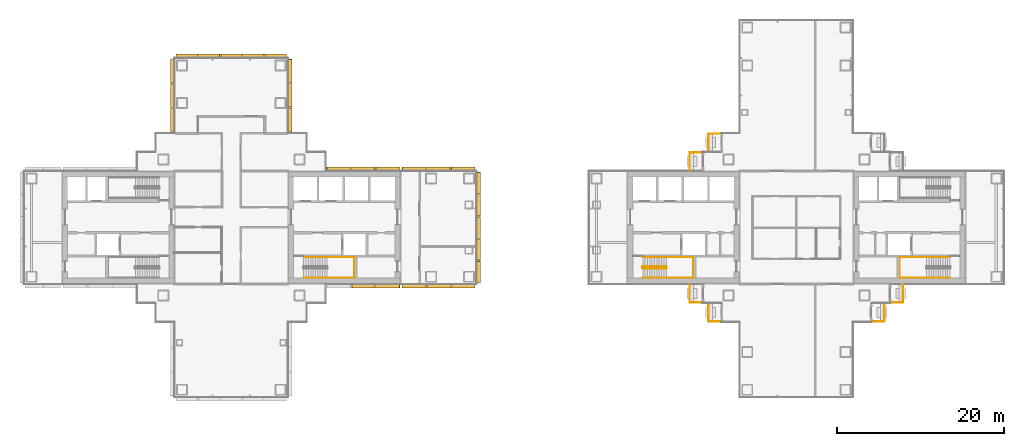
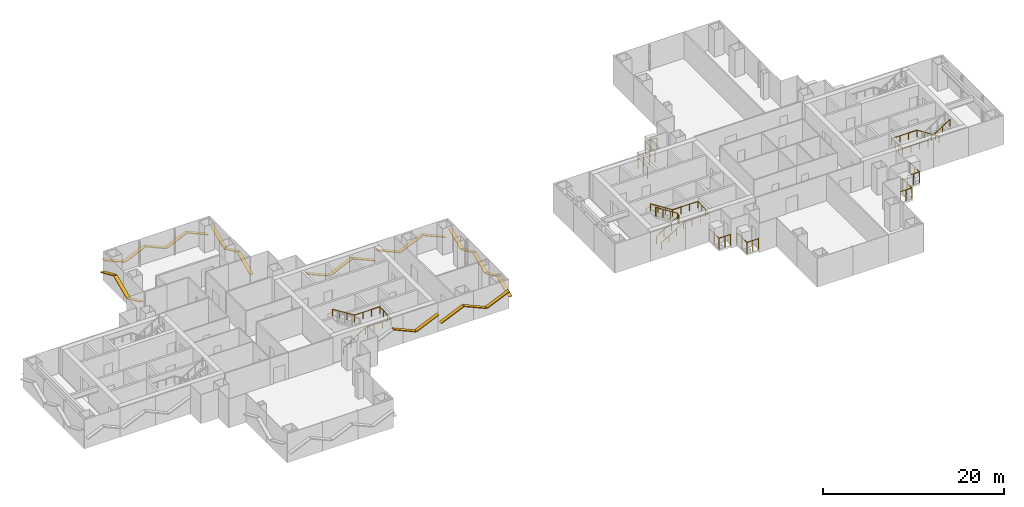
# One storey, part 17 of 19: 27 shading devices, 10 railings.
"""IFC4 building model written with IfcOpenShell, lengths in metres."""

import ifcopenshell
import ifcopenshell.guid

model = None  # the IFC model being written
_history = None  # IfcOwnerHistory: only IFC2X3 demands one
_inside = {}  # id of a spatial element -> (the spatial element, [elements in it])
_under = {}  # id of a project, library or spatial element -> (it, [spatial elements below it])
_declared = {}  # id of a project -> (the project, [libraries it declares])
_typed = {}  # id of a type object -> (the type object, [elements of that type])
_made_of = {}  # id of a material, layer set ... -> (it, [elements and type objects made of it])


def new_model(schema):
    """Start an empty IFC model of exactly this schema.

    Asked for "IFC4X3", IfcOpenShell would pick the latest addendum, in which some entities
    have other attributes; the version numbers below select the first issue.
    IFC2X3 requires an IfcOwnerHistory on every rooted entity: one is made here for all.
    """
    global model, _history
    if schema == "IFC4X3":
        model = ifcopenshell.file(schema_version=(4, 3, 0, 0))
    else:
        model = ifcopenshell.file(schema=schema)
    _inside.clear()
    _under.clear()
    _declared.clear()
    _typed.clear()
    _made_of.clear()
    _history = None
    if model.schema == "IFC2X3":
        org = make("IfcOrganization", Name="unknown")
        user = make(
            "IfcPersonAndOrganization",
            ThePerson=make("IfcPerson", FamilyName="unknown"),
            TheOrganization=org,
        )
        app = make(
            "IfcApplication",
            ApplicationDeveloper=org,
            Version="unknown",
            ApplicationFullName="unknown",
            ApplicationIdentifier="unknown",
        )
        _history = make(
            "IfcOwnerHistory",
            OwningUser=user,
            OwningApplication=app,
            ChangeAction="ADDED",
            CreationDate=0,
        )
    return model


def make(cls, **values):
    """One entity of the class cls with the attributes given. An attribute that is None is left unset."""
    return model.create_entity(
        cls, **{name: value for name, value in values.items() if value is not None}
    )


def rooted(cls, **values):
    """An entity with a GlobalId (a new one), such as an element, a storey or a relation."""
    return make(cls, GlobalId=ifcopenshell.guid.new(), OwnerHistory=_history, **values)


def si_unit(unit_type, name, prefix=None):
    """IfcSIUnit, for example si_unit("LENGTHUNIT", "METRE", prefix="MILLI")."""
    return make("IfcSIUnit", UnitType=unit_type, Prefix=prefix, Name=name)


def assignment(units):
    """IfcUnitAssignment: the units of a project."""
    return None if units is None else make("IfcUnitAssignment", Units=units)


def point(xyz):
    """IfcCartesianPoint."""
    return None if xyz is None else make("IfcCartesianPoint", Coordinates=xyz)


def direction(xyz):
    """IfcDirection."""
    return None if xyz is None else make("IfcDirection", DirectionRatios=xyz)


def frame(location, z_axis=None, x_axis=None):
    """IfcAxis2Placement3D, a coordinate frame: its origin and axes. An axis left out is left unset."""
    return make(
        "IfcAxis2Placement3D",
        Location=point(location),
        Axis=direction(z_axis),
        RefDirection=direction(x_axis),
    )


def frame_2d(location, x_axis=None):
    """IfcAxis2Placement2D, a coordinate frame in the plane: its origin and x axis."""
    return make(
        "IfcAxis2Placement2D", Location=point(location), RefDirection=direction(x_axis)
    )


def origin():
    """The frame at (0, 0, 0) with its axes left unset."""
    return frame((0.0, 0.0, 0.0))


def origin_2d():
    """The frame at (0, 0) in the plane with its x axis left unset."""
    return frame_2d((0.0, 0.0))


def place(relative_to, where):
    """IfcLocalPlacement: puts the frame where relative to a parent placement (None: the world)."""
    return make(
        "IfcLocalPlacement", PlacementRelTo=relative_to, RelativePlacement=where
    )


def context(
    kind, dimensions, precision=None, world=None, true_north=None, identifier=None
):
    """IfcGeometricRepresentationContext, for example the 3D "Model" context."""
    return make(
        "IfcGeometricRepresentationContext",
        ContextIdentifier=identifier,
        ContextType=kind,
        CoordinateSpaceDimension=dimensions,
        Precision=precision,
        WorldCoordinateSystem=world,
        TrueNorth=true_north,
    )


def subcontext(parent, identifier, kind, view, scale=None):
    """IfcGeometricRepresentationSubContext, for example "Body" below "Model"."""
    return make(
        "IfcGeometricRepresentationSubContext",
        ContextIdentifier=identifier,
        ContextType=kind,
        ParentContext=parent,
        TargetScale=scale,
        TargetView=view,
    )


def project(units=None, contexts=None):
    """IfcProject with its units and contexts."""
    return rooted(
        "IfcProject",
        Name="project",
        RepresentationContexts=contexts,
        UnitsInContext=assignment(units),
    )


def spatial(cls, under=None, at=None, **own):
    """A site, building, storey or space (cls), placed at a placement, below another one or the project."""
    s = rooted(cls, ObjectPlacement=at, **own)
    if under is not None:
        _under.setdefault(under.id(), (under, []))[1].append(s)
    return s


def profile(cls, at=None, kind="AREA", **sizes):
    """A parametric profile (cls). Its sizes go by their IFC names, for example OverallWidth=200.0."""
    return make(cls, ProfileType=kind, Position=at, **sizes)


def rectangle(**sizes):
    """IfcRectangleProfileDef."""
    return profile("IfcRectangleProfileDef", **sizes)


def circle(**sizes):
    """IfcCircleProfileDef."""
    return profile("IfcCircleProfileDef", **sizes)


def extrude(swept, where, along, depth):
    """IfcExtrudedAreaSolid: the profile swept, set in the frame where, extruded along a direction by depth."""
    return make(
        "IfcExtrudedAreaSolid",
        SweptArea=swept,
        Position=where,
        ExtrudedDirection=direction(along),
        Depth=depth,
    )


def shape(context_of_items, identifier, shape_type, items):
    """IfcShapeRepresentation: the items that make up one representation, for example the "Body"."""
    return make(
        "IfcShapeRepresentation",
        ContextOfItems=context_of_items,
        RepresentationIdentifier=identifier,
        RepresentationType=shape_type,
        Items=items,
    )


def material(Name=None, Category=None):
    """IfcMaterial."""
    return make("IfcMaterial", Name=Name, Category=Category)


def material_profile(
    of_material, cross_section, Name=None, Category=None, Priority=None
):
    """IfcMaterialProfile: a cross section and its material."""
    return make(
        "IfcMaterialProfile",
        Name=Name,
        Material=of_material,
        Profile=cross_section,
        Priority=Priority,
        Category=Category,
    )


def profile_set(profiles, Name=None, composite=None):
    """IfcMaterialProfileSet."""
    return make(
        "IfcMaterialProfileSet",
        Name=Name,
        MaterialProfiles=profiles,
        CompositeProfile=composite,
    )


def made_of(thing, what):
    """Note that an element or type object is made of a material, layer set ...; save() writes the relation."""
    if what is not None:
        _made_of.setdefault(what.id(), (what, []))[1].append(thing)
    return thing


def type_object(cls, material=None, **own):
    """A type object (cls), such as IfcWallType, which elements share."""
    return made_of(rooted(cls, **own), material)


def element(
    cls,
    number,
    at=None,
    inside=None,
    cuts=None,
    type_object=None,
    material=None,
    context=None,
    identifier="Body",
    shape_type=None,
    held_by="IfcProductDefinitionShape",
    body=None,
    shapes=None,
    **own,
):
    """One element of the class cls, such as IfcWall. Its Tag is "e" and its number.

    at: its placement. inside: the storey or other place that contains it. cuts: it is an
    opening in that element (IfcRelVoidsElement). A single representation is given by context,
    identifier, shape_type and body (its items); several are given by shapes. held_by: the class
    of the entity that holds the representations. save() writes the other relations.
    """
    e = rooted(cls, Tag="e%d" % number, ObjectPlacement=at, **own)
    if body is not None:
        shapes = [shape(context, identifier, shape_type, body)]
    if shapes is not None:
        e.Representation = make(held_by, Representations=shapes)
    if inside is not None:
        _inside.setdefault(inside.id(), (inside, []))[1].append(e)
    if cuts is not None:
        rooted(
            "IfcRelVoidsElement", RelatingBuildingElement=cuts, RelatedOpeningElement=e
        )
    if type_object is not None:
        _typed.setdefault(type_object.id(), (type_object, []))[1].append(e)
    return made_of(e, material)


def aggregate(whole, parts):
    """IfcRelAggregates: a whole, such as a stair, and the parts it consists of."""
    return rooted("IfcRelAggregates", RelatingObject=whole, RelatedObjects=parts)


def save(model, path):
    """Write the relations noted so far, then the file.

    IfcRelAggregates (storeys below a building ...), IfcRelContainedInSpatialStructure (elements
    in a storey), IfcRelDefinesByType, IfcRelAssociatesMaterial and IfcRelDeclares: one each for
    every whole, place, type object, material and project.
    """
    for whole, parts in _under.values():
        aggregate(whole, parts)
    for where, things in _inside.values():
        rooted(
            "IfcRelContainedInSpatialStructure",
            RelatedElements=things,
            RelatingStructure=where,
        )
    for kind, things in _typed.values():
        rooted("IfcRelDefinesByType", RelatedObjects=things, RelatingType=kind)
    for what, things in _made_of.values():
        rooted("IfcRelAssociatesMaterial", RelatedObjects=things, RelatingMaterial=what)
    for by, libraries in _declared.values():
        rooted("IfcRelDeclares", RelatingContext=by, RelatedDefinitions=libraries)
    model.write(path)


model = new_model("IFC4")

# Units and contexts
model_context = context("Model", 3, precision=1e-05, world=origin(), true_north=direction((0.0, 1.0)))
body_context = subcontext(model_context, "Body", "Model", "MODEL_VIEW")
ifc_project = project(units=[si_unit("LENGTHUNIT", "METRE"), si_unit("AREAUNIT", "SQUARE_METRE"), si_unit("VOLUMEUNIT", "CUBIC_METRE"), si_unit("PLANEANGLEUNIT", "RADIAN"), si_unit("MASSUNIT", "GRAM", prefix="KILO")], contexts=[model_context])

# Site, building, storey
site_placement = place(None, origin())
site = spatial("IfcSite", under=ifc_project, at=site_placement, CompositionType="ELEMENT")
building_placement = place(site_placement, origin())
building = spatial("IfcBuilding", under=site, at=building_placement, Name="Shamsa Quay Exchange Towers", CompositionType="ELEMENT")
storey_placement = place(building_placement, frame((0.0, 0.0, 89.699951171875)))
storey = spatial("IfcBuildingStorey", under=building, at=storey_placement, Name="L20", CompositionType="ELEMENT", Elevation=89.699951171875)

# Railings
ifc_material_1 = material(Name="Steel S355, black powder-coated", Category="steel")
railing_type_1 = type_object("IfcRailingType", Name="BALCONY GUARD 1500", PredefinedType="GUARDRAIL", material=ifc_material_1)
for number, where, name in (
    (1, (24.72900390625, 11.199951171875, 0.0), "Balcony guard T2-PKEN L20"),
    (2, (22.47900390625, 8.949951171875, 0.0), "Balcony guard T2-PKEN L20"),
):
    element("IfcRailing", number, at=place(storey_placement, frame(where)), inside=storey, type_object=railing_type_1, Name=name, PredefinedType="GUARDRAIL", context=body_context, shape_type="SweptSolid", body=[
        extrude(circle(Radius=0.02392578125, at=origin_2d()), frame((0.0, 0.0, 1.47607421875), z_axis=(-1.0, 0.0, 0.0), x_axis=(0.0, -1.0, 0.0)), (0.0, 0.0, 1.0), 1.47900390625),
        extrude(circle(Radius=0.02392578125, at=origin_2d()), frame((-1.47900390625, 0.0, 1.47607421875), z_axis=(0.0, -1.0, 0.0), x_axis=(1.0, 0.0, 0.0)), (0.0, 0.0, 1.0), 2.161865234375),
        extrude(circle(Radius=0.02099609375, at=origin_2d()), origin(), (0.0, 0.0, 1.0), 1.451904296875),
        extrude(circle(Radius=0.02099609375, at=origin_2d()), frame((-0.739501953125, 0.0, 0.0)), (0.0, 0.0, 1.0), 1.451904296875),
        extrude(circle(Radius=0.02099609375, at=origin_2d()), frame((-1.47900390625, 0.0, 0.0)), (0.0, 0.0, 1.0), 1.451904296875),
        extrude(circle(Radius=0.02099609375, at=origin_2d()), frame((-1.47900390625, -1.0810546875, 0.0)), (0.0, 0.0, 1.0), 1.451904296875),
        extrude(circle(Radius=0.02099609375, at=origin_2d()), frame((-1.47900390625, -2.161865234375, 0.0)), (0.0, 0.0, 1.0), 1.451904296875),
    ])
for number, where, name in (
    (3, (21.0, -6.7880859375, 0.0), "Balcony guard T2-PKWN L20"),
    (4, (23.25, -9.0380859375, 0.0), "Balcony guard T2-PKWN L20"),
):
    element("IfcRailing", number, at=place(storey_placement, frame(where)), inside=storey, type_object=railing_type_1, Name=name, PredefinedType="GUARDRAIL", context=body_context, shape_type="SweptSolid", body=[
        extrude(circle(Radius=0.02392578125, at=origin_2d()), frame((0.0, 0.0, 1.47607421875), z_axis=(0.0, -1.0, 0.0), x_axis=(1.0, 0.0, 0.0)), (0.0, 0.0, 1.0), 2.161865234375),
        extrude(circle(Radius=0.02392578125, at=origin_2d()), frame((0.0, -2.161865234375, 1.47607421875), z_axis=(1.0, 0.0, 0.0), x_axis=(0.0, 1.0, 0.0)), (0.0, 0.0, 1.0), 1.47900390625),
        extrude(circle(Radius=0.02099609375, at=origin_2d()), origin(), (0.0, 0.0, 1.0), 1.451904296875),
        extrude(circle(Radius=0.02099609375, at=origin_2d()), frame((0.0, -1.0810546875, 0.0)), (0.0, 0.0, 1.0), 1.451904296875),
        extrude(circle(Radius=0.02099609375, at=origin_2d()), frame((0.0, -2.161865234375, 0.0)), (0.0, 0.0, 1.0), 1.451904296875),
        extrude(circle(Radius=0.02099609375, at=origin_2d()), frame((0.739501953125, -2.161865234375, 0.0)), (0.0, 0.0, 1.0), 1.451904296875),
        extrude(circle(Radius=0.02099609375, at=origin_2d()), frame((1.47900390625, -2.161865234375, 0.0)), (0.0, 0.0, 1.0), 1.451904296875),
    ])
for number, where, name in (
    (5, (42.77099609375, -11.199951171875, 0.0), "Balcony guard T2-PKWS L20"),
    (6, (45.02099609375, -8.949951171875, 0.0), "Balcony guard T2-PKWS L20"),
):
    element("IfcRailing", number, at=place(storey_placement, frame(where)), inside=storey, type_object=railing_type_1, Name=name, PredefinedType="GUARDRAIL", context=body_context, shape_type="SweptSolid", body=[
        extrude(circle(Radius=0.02392578125, at=origin_2d()), frame((0.0, 0.0, 1.47607421875), z_axis=(1.0, 0.0, 0.0), x_axis=(0.0, 1.0, 0.0)), (0.0, 0.0, 1.0), 1.47900390625),
        extrude(circle(Radius=0.02392578125, at=origin_2d()), frame((1.47900390625, 0.0, 1.47607421875), z_axis=(0.0, 1.0, 0.0), x_axis=(-1.0, 0.0, 0.0)), (0.0, 0.0, 1.0), 2.161865234375),
        extrude(circle(Radius=0.02099609375, at=origin_2d()), origin(), (0.0, 0.0, 1.0), 1.451904296875),
        extrude(circle(Radius=0.02099609375, at=origin_2d()), frame((0.739501953125, 0.0, 0.0)), (0.0, 0.0, 1.0), 1.451904296875),
        extrude(circle(Radius=0.02099609375, at=origin_2d()), frame((1.47900390625, 0.0, 0.0)), (0.0, 0.0, 1.0), 1.451904296875),
        extrude(circle(Radius=0.02099609375, at=origin_2d()), frame((1.47900390625, 1.0810546875, 0.0)), (0.0, 0.0, 1.0), 1.451904296875),
        extrude(circle(Radius=0.02099609375, at=origin_2d()), frame((1.47900390625, 2.161865234375, 0.0)), (0.0, 0.0, 1.0), 1.451904296875),
    ])

# Shading devices
ifc_material_2 = material(Name="Aluminium EN AW-6063 T6, black anodised", Category="aluminium")
ifc_material_profile = material_profile(ifc_material_2, rectangle(XDim=0.449951171875, YDim=0.10009765625, at=origin_2d()), Name="FIN450x100")
ifc_profile_set = profile_set([ifc_material_profile], Name="Aluminium EN AW-6063 T6, black anodised")
shading_device_type = type_object("IfcShadingDeviceType", Name="FIN 450x100 BLACK ALUMINIUM", PredefinedType="USERDEFINED", material=ifc_profile_set)
shading_device_1_placement = place(storey_placement, frame((-19.374755859375, -7.01904296875, 2.220458984375), z_axis=(0.913550687431, 0.0, -0.406724896576), x_axis=(0.0, 1.0, 0.0)))
element("IfcShadingDevice", 7, at=shading_device_1_placement, inside=storey, type_object=shading_device_type, Name="FIN T1 chevron rib", ObjectType="FIN", PredefinedType="USERDEFINED", context=body_context, shape_type="SweptSolid", body=[
    extrude(rectangle(XDim=0.449951171875, YDim=0.10009765625, at=origin_2d()), origin(), (0.0, 0.0, 1.0), 3.051025390625),
])
shading_device_2_placement = place(storey_placement, frame((-16.4873046875, -7.01904296875, 0.968505859375), z_axis=(0.913558535862, 0.0, 0.406707267643), x_axis=(0.0, 1.0, 0.0)))
element("IfcShadingDevice", 8, at=shading_device_2_placement, inside=storey, type_object=shading_device_type, Name="FIN T1 chevron rib", ObjectType="FIN", PredefinedType="USERDEFINED", context=body_context, shape_type="SweptSolid", body=[
    extrude(rectangle(XDim=0.449951171875, YDim=0.10009765625, at=origin_2d()), origin(), (0.0, 0.0, 1.0), 3.10595703125),
])
shading_device_3_placement = place(storey_placement, frame((-13.35009765625, -7.014892578125, 0.965576171875), z_axis=(0.913533816972, 0.0, 0.406762787444), x_axis=(0.0, 1.0, 0.0)))
element("IfcShadingDevice", 9, at=shading_device_3_placement, inside=storey, type_object=shading_device_type, Name="FIN T1 chevron rib", ObjectType="FIN", PredefinedType="USERDEFINED", context=body_context, shape_type="SweptSolid", body=[
    extrude(rectangle(XDim=0.449951171875, YDim=0.10009765625, at=origin_2d()), origin(), (0.0, 0.0, 1.0), 3.119873046875),
])
shading_device_4_placement = place(storey_placement, frame((-10.39990234375, -7.014892578125, 2.223388671875), z_axis=(0.913541981537, 0.0, -0.406744450447), x_axis=(0.0, 1.0, 0.0)))
element("IfcShadingDevice", 10, at=shading_device_4_placement, inside=storey, type_object=shading_device_type, Name="FIN T1 chevron rib", ObjectType="FIN", PredefinedType="USERDEFINED", context=body_context, shape_type="SweptSolid", body=[
    extrude(rectangle(XDim=0.449951171875, YDim=0.10009765625, at=origin_2d()), origin(), (0.0, 0.0, 1.0), 3.064697265625),
])
shading_device_5_placement = place(storey_placement, frame((-7.5, -7.014892578125, 0.965576171875), z_axis=(0.913533816972, 0.0, 0.406762787444), x_axis=(0.0, 1.0, 0.0)))
element("IfcShadingDevice", 11, at=shading_device_5_placement, inside=storey, type_object=shading_device_type, Name="FIN T1 chevron rib", ObjectType="FIN", PredefinedType="USERDEFINED", context=body_context, shape_type="SweptSolid", body=[
    extrude(rectangle(XDim=0.449951171875, YDim=0.10009765625, at=origin_2d()), origin(), (0.0, 0.0, 1.0), 3.119873046875),
])
shading_device_6_placement = place(storey_placement, frame((-4.235107421875, -6.60009765625, 1.0234375), z_axis=(0.0, 0.91355925163, 0.406705659859), x_axis=(-1.0, 0.0, 0.0)))
element("IfcShadingDevice", 12, at=shading_device_6_placement, inside=storey, type_object=shading_device_type, Name="FIN T1 chevron rib", ObjectType="FIN", PredefinedType="USERDEFINED", context=body_context, shape_type="SweptSolid", body=[
    extrude(rectangle(XDim=0.449951171875, YDim=0.10009765625, at=origin_2d()), origin(), (0.0, 0.0, 1.0), 2.835205078125),
])
shading_device_7_placement = place(storey_placement, frame((-4.235107421875, -3.909912109375, 2.16552734375), z_axis=(0.0, 0.913536125794, -0.406757602103), x_axis=(-1.0, 0.0, 0.0)))
element("IfcShadingDevice", 13, at=shading_device_7_placement, inside=storey, type_object=shading_device_type, Name="FIN T1 chevron rib", ObjectType="FIN", PredefinedType="USERDEFINED", context=body_context, shape_type="SweptSolid", body=[
    extrude(rectangle(XDim=0.449951171875, YDim=0.10009765625, at=origin_2d()), origin(), (0.0, 0.0, 1.0), 2.7802734375),
])
shading_device_8_placement = place(storey_placement, frame((-4.235107421875, -1.27001953125, 1.03466796875), z_axis=(0.0, 0.913550653139, 0.4067249736), x_axis=(-1.0, 0.0, 0.0)))
element("IfcShadingDevice", 14, at=shading_device_8_placement, inside=storey, type_object=shading_device_type, Name="FIN T1 chevron rib", ObjectType="FIN", PredefinedType="USERDEFINED", context=body_context, shape_type="SweptSolid", body=[
    extrude(rectangle(XDim=0.449951171875, YDim=0.10009765625, at=origin_2d()), origin(), (0.0, 0.0, 1.0), 2.780517578125),
])
shading_device_9_placement = place(storey_placement, frame((-4.235107421875, 1.3701171875, 2.16552734375), z_axis=(0.0, 0.913536125794, -0.406757602103), x_axis=(-1.0, 0.0, 0.0)))
element("IfcShadingDevice", 15, at=shading_device_9_placement, inside=storey, type_object=shading_device_type, Name="FIN T1 chevron rib", ObjectType="FIN", PredefinedType="USERDEFINED", context=body_context, shape_type="SweptSolid", body=[
    extrude(rectangle(XDim=0.449951171875, YDim=0.10009765625, at=origin_2d()), origin(), (0.0, 0.0, 1.0), 2.7802734375),
])
shading_device_10_placement = place(storey_placement, frame((-4.235107421875, 4.010009765625, 1.0234375), z_axis=(0.0, 0.91355925163, 0.406705659859), x_axis=(-1.0, 0.0, 0.0)))
element("IfcShadingDevice", 16, at=shading_device_10_placement, inside=storey, type_object=shading_device_type, Name="FIN T1 chevron rib", ObjectType="FIN", PredefinedType="USERDEFINED", context=body_context, shape_type="SweptSolid", body=[
    extrude(rectangle(XDim=0.449951171875, YDim=0.10009765625, at=origin_2d()), origin(), (0.0, 0.0, 1.0), 2.835205078125),
])
shading_device_11_placement = place(storey_placement, frame((-4.64990234375, 7.014892578125, 0.965576171875), z_axis=(-0.913533816972, 0.0, 0.406762787444), x_axis=(0.0, -1.0, 0.0)))
element("IfcShadingDevice", 17, at=shading_device_11_placement, inside=storey, type_object=shading_device_type, Name="FIN T1 chevron rib", ObjectType="FIN", PredefinedType="USERDEFINED", context=body_context, shape_type="SweptSolid", body=[
    extrude(rectangle(XDim=0.449951171875, YDim=0.10009765625, at=origin_2d()), origin(), (0.0, 0.0, 1.0), 3.119873046875),
])
shading_device_12_placement = place(storey_placement, frame((-7.60009765625, 7.014892578125, 2.223388671875), z_axis=(-0.913541981537, 0.0, -0.406744450447), x_axis=(0.0, -1.0, 0.0)))
element("IfcShadingDevice", 18, at=shading_device_12_placement, inside=storey, type_object=shading_device_type, Name="FIN T1 chevron rib", ObjectType="FIN", PredefinedType="USERDEFINED", context=body_context, shape_type="SweptSolid", body=[
    extrude(rectangle(XDim=0.449951171875, YDim=0.10009765625, at=origin_2d()), origin(), (0.0, 0.0, 1.0), 3.064697265625),
])
for number, where, z_axis, x_axis, name in (
    (19, (-10.5, 7.014892578125, 0.965576171875), (-0.913533816972, 0.0, 0.406762787444), (0.0, -1.0, 0.0), "FIN T1 chevron rib"),
    (20, (-13.64990234375, 7.01904296875, 0.965576171875), (-0.913533816972, 0.0, 0.406762787444), (0.0, -1.0, 0.0), "FIN T1 chevron rib"),
):
    element("IfcShadingDevice", number, at=place(storey_placement, frame(where, z_axis=z_axis, x_axis=x_axis)), inside=storey, type_object=shading_device_type, Name=name, ObjectType="FIN", PredefinedType="USERDEFINED", context=body_context, shape_type="SweptSolid", body=[
        extrude(rectangle(XDim=0.449951171875, YDim=0.10009765625, at=origin_2d()), origin(), (0.0, 0.0, 1.0), 3.119873046875),
    ])
shading_device_13_placement = place(storey_placement, frame((-16.60009765625, 7.01904296875, 2.223388671875), z_axis=(-0.913541981537, 0.0, -0.406744450447), x_axis=(0.0, -1.0, 0.0)))
element("IfcShadingDevice", 21, at=shading_device_13_placement, inside=storey, type_object=shading_device_type, Name="FIN T1 chevron rib", ObjectType="FIN", PredefinedType="USERDEFINED", context=body_context, shape_type="SweptSolid", body=[
    extrude(rectangle(XDim=0.449951171875, YDim=0.10009765625, at=origin_2d()), origin(), (0.0, 0.0, 1.0), 3.064697265625),
])
shading_device_14_placement = place(storey_placement, frame((-19.5, 7.01904296875, 0.965576171875), z_axis=(-0.913533816972, 0.0, 0.406762787444), x_axis=(0.0, -1.0, 0.0)))
element("IfcShadingDevice", 22, at=shading_device_14_placement, inside=storey, type_object=shading_device_type, Name="FIN T1 chevron rib", ObjectType="FIN", PredefinedType="USERDEFINED", context=body_context, shape_type="SweptSolid", body=[
    extrude(rectangle(XDim=0.449951171875, YDim=0.10009765625, at=origin_2d()), origin(), (0.0, 0.0, 1.0), 3.119873046875),
])
shading_device_15_placement = place(storey_placement, frame((-26.735107421875, 11.43798828125, 0.968505859375), z_axis=(0.0, 0.913558535862, 0.406707267643), x_axis=(-1.0, 0.0, 0.0)))
element("IfcShadingDevice", 23, at=shading_device_15_placement, inside=storey, type_object=shading_device_type, Name="FIN T1 chevron rib", ObjectType="FIN", PredefinedType="USERDEFINED", context=body_context, shape_type="SweptSolid", body=[
    extrude(rectangle(XDim=0.449951171875, YDim=0.10009765625, at=origin_2d()), origin(), (0.0, 0.0, 1.0), 3.10595703125),
])
shading_device_16_placement = place(storey_placement, frame((-26.735107421875, 14.375244140625, 2.220458984375), z_axis=(0.0, 0.913550687431, -0.406724896576), x_axis=(-1.0, 0.0, 0.0)))
element("IfcShadingDevice", 24, at=shading_device_16_placement, inside=storey, type_object=shading_device_type, Name="FIN T1 chevron rib", ObjectType="FIN", PredefinedType="USERDEFINED", context=body_context, shape_type="SweptSolid", body=[
    extrude(rectangle(XDim=0.449951171875, YDim=0.10009765625, at=origin_2d()), origin(), (0.0, 0.0, 1.0), 3.051025390625),
])
shading_device_17_placement = place(storey_placement, frame((-26.735107421875, 17.2626953125, 0.968505859375), z_axis=(0.0, 0.913558535862, 0.406707267643), x_axis=(-1.0, 0.0, 0.0)))
element("IfcShadingDevice", 25, at=shading_device_17_placement, inside=storey, type_object=shading_device_type, Name="FIN T1 chevron rib", ObjectType="FIN", PredefinedType="USERDEFINED", context=body_context, shape_type="SweptSolid", body=[
    extrude(rectangle(XDim=0.449951171875, YDim=0.10009765625, at=origin_2d()), origin(), (0.0, 0.0, 1.0), 3.10595703125),
])
shading_device_18_placement = place(storey_placement, frame((-27.14990234375, 20.514892578125, 1.0234375), z_axis=(-0.91355925163, 0.0, 0.406705659859), x_axis=(0.0, -1.0, 0.0)))
element("IfcShadingDevice", 26, at=shading_device_18_placement, inside=storey, type_object=shading_device_type, Name="FIN T1 chevron rib", ObjectType="FIN", PredefinedType="USERDEFINED", context=body_context, shape_type="SweptSolid", body=[
    extrude(rectangle(XDim=0.449951171875, YDim=0.10009765625, at=origin_2d()), origin(), (0.0, 0.0, 1.0), 2.835205078125),
])
shading_device_19_placement = place(storey_placement, frame((-29.840087890625, 20.514892578125, 2.16552734375), z_axis=(-0.913536125794, 0.0, -0.406757602103), x_axis=(0.0, -1.0, 0.0)))
element("IfcShadingDevice", 27, at=shading_device_19_placement, inside=storey, type_object=shading_device_type, Name="FIN T1 chevron rib", ObjectType="FIN", PredefinedType="USERDEFINED", context=body_context, shape_type="SweptSolid", body=[
    extrude(rectangle(XDim=0.449951171875, YDim=0.10009765625, at=origin_2d()), origin(), (0.0, 0.0, 1.0), 2.7802734375),
])
shading_device_20_placement = place(storey_placement, frame((-32.47998046875, 20.514892578125, 1.03466796875), z_axis=(-0.913550653139, 0.0, 0.4067249736), x_axis=(0.0, -1.0, 0.0)))
element("IfcShadingDevice", 28, at=shading_device_20_placement, inside=storey, type_object=shading_device_type, Name="FIN T1 chevron rib", ObjectType="FIN", PredefinedType="USERDEFINED", context=body_context, shape_type="SweptSolid", body=[
    extrude(rectangle(XDim=0.449951171875, YDim=0.10009765625, at=origin_2d()), origin(), (0.0, 0.0, 1.0), 2.780517578125),
])
shading_device_21_placement = place(storey_placement, frame((-35.1201171875, 20.514892578125, 2.16552734375), z_axis=(-0.913536125794, 0.0, -0.406757602103), x_axis=(0.0, -1.0, 0.0)))
element("IfcShadingDevice", 29, at=shading_device_21_placement, inside=storey, type_object=shading_device_type, Name="FIN T1 chevron rib", ObjectType="FIN", PredefinedType="USERDEFINED", context=body_context, shape_type="SweptSolid", body=[
    extrude(rectangle(XDim=0.449951171875, YDim=0.10009765625, at=origin_2d()), origin(), (0.0, 0.0, 1.0), 2.7802734375),
])
shading_device_22_placement = place(storey_placement, frame((-37.760009765625, 20.514892578125, 1.0234375), z_axis=(-0.91355925163, 0.0, 0.406705659859), x_axis=(0.0, -1.0, 0.0)))
element("IfcShadingDevice", 30, at=shading_device_22_placement, inside=storey, type_object=shading_device_type, Name="FIN T1 chevron rib", ObjectType="FIN", PredefinedType="USERDEFINED", context=body_context, shape_type="SweptSolid", body=[
    extrude(rectangle(XDim=0.449951171875, YDim=0.10009765625, at=origin_2d()), origin(), (0.0, 0.0, 1.0), 2.835205078125),
])
shading_device_23_placement = place(storey_placement, frame((-40.764892578125, 20.10009765625, 0.965576171875), z_axis=(0.0, -0.913533816972, 0.406762787444), x_axis=(1.0, 0.0, 0.0)))
element("IfcShadingDevice", 31, at=shading_device_23_placement, inside=storey, type_object=shading_device_type, Name="FIN T1 chevron rib", ObjectType="FIN", PredefinedType="USERDEFINED", context=body_context, shape_type="SweptSolid", body=[
    extrude(rectangle(XDim=0.449951171875, YDim=0.10009765625, at=origin_2d()), origin(), (0.0, 0.0, 1.0), 3.119873046875),
])
shading_device_24_placement = place(storey_placement, frame((-40.764892578125, 17.14990234375, 2.223388671875), z_axis=(0.0, -0.913541981537, -0.406744450447), x_axis=(1.0, 0.0, 0.0)))
element("IfcShadingDevice", 32, at=shading_device_24_placement, inside=storey, type_object=shading_device_type, Name="FIN T1 chevron rib", ObjectType="FIN", PredefinedType="USERDEFINED", context=body_context, shape_type="SweptSolid", body=[
    extrude(rectangle(XDim=0.449951171875, YDim=0.10009765625, at=origin_2d()), origin(), (0.0, 0.0, 1.0), 3.064697265625),
])
shading_device_25_placement = place(storey_placement, frame((-40.764892578125, 14.25, 0.965576171875), z_axis=(0.0, -0.913533816972, 0.406762787444), x_axis=(1.0, 0.0, 0.0)))
element("IfcShadingDevice", 33, at=shading_device_25_placement, inside=storey, type_object=shading_device_type, Name="FIN T1 chevron rib", ObjectType="FIN", PredefinedType="USERDEFINED", context=body_context, shape_type="SweptSolid", body=[
    extrude(rectangle(XDim=0.449951171875, YDim=0.10009765625, at=origin_2d()), origin(), (0.0, 0.0, 1.0), 3.119873046875),
])

# Railings
ifc_material_3 = material(Name="Stainless steel", Category="steel")
railing_type_2 = type_object("IfcRailingType", Name="STAIR GUARD 1100", PredefinedType="GUARDRAIL", material=ifc_material_3)
railing_1_placement = place(storey_placement, frame((15.39990234375, -4.89990234375, 0.17724609375)))
element("IfcRailing", 34, at=railing_1_placement, inside=storey, type_object=railing_type_2, Name="L20 ST4 stair guard 1", PredefinedType="GUARDRAIL", context=body_context, shape_type="SweptSolid", body=[
    extrude(circle(Radius=0.02392578125, at=origin_2d()), frame((0.0, 0.0, 1.076171875), z_axis=(0.844908973607, 0.0, 0.534910110503), x_axis=(0.0, 1.0, 0.0)), (0.0, 0.0, 1.0), 3.31396484375),
    extrude(circle(Radius=0.02392578125, at=origin_2d()), frame((2.800048828125, 0.0, 2.8486328125), z_axis=(0.708833529934, 0.705375805398, 0.0), x_axis=(-0.705375805398, 0.708833529934, 0.0)), (0.0, 0.0, 1.0), 0.070556640625),
    extrude(circle(Radius=0.02392578125, at=origin_2d()), frame((2.85009765625, 0.0498046875, 2.8486328125), z_axis=(0.0, 1.0, 0.0), x_axis=(-1.0, 0.0, 0.0)), (0.0, 0.0, 1.0), 0.150146484375),
    extrude(circle(Radius=0.02392578125, at=origin_2d()), frame((2.85009765625, 0.199951171875, 2.8486328125), z_axis=(-0.261922500866, 0.261922500866, 0.928866625022), x_axis=(-0.707106781187, -0.707106781187, 0.0)), (0.0, 0.0, 1.0), 0.191162109375),
    extrude(circle(Radius=0.02392578125, at=origin_2d()), frame((2.800048828125, 0.25, 3.0263671875), z_axis=(-0.844908973607, 0.0, 0.534910110503), x_axis=(0.0, -1.0, 0.0)), (0.0, 0.0, 1.0), 3.31396484375),
    extrude(circle(Radius=0.02392578125, at=origin_2d()), frame((0.0, 0.25, 4.798828125), z_axis=(-0.24142163986, -0.970420317083, 0.0), x_axis=(0.970420317083, -0.24142163986, 0.0)), (0.0, 0.0, 1.0), 0.206298828125),
    extrude(circle(Radius=0.02392578125, at=origin_2d()), frame((-0.0498046875, 0.0498046875, 4.798828125), z_axis=(0.0, 1.0, 0.0), x_axis=(-1.0, 0.0, 0.0)), (0.0, 0.0, 1.0), 0.150146484375),
    extrude(circle(Radius=0.02099609375, at=origin_2d()), origin(), (0.0, 0.0, 1.0), 1.052001953125),
    extrude(circle(Radius=0.02099609375, at=origin_2d()), frame((0.933349609375, 0.0, 0.5908203125)), (0.0, 0.0, 1.0), 1.052001953125),
    extrude(circle(Radius=0.02099609375, at=origin_2d()), frame((1.86669921875, 0.0, 1.181884765625)), (0.0, 0.0, 1.0), 1.052001953125),
    extrude(circle(Radius=0.02099609375, at=origin_2d()), frame((2.800048828125, 0.0, 1.772705078125)), (0.0, 0.0, 1.0), 1.052001953125),
    extrude(circle(Radius=0.02099609375, at=origin_2d()), frame((2.85009765625, 0.0498046875, 1.772705078125)), (0.0, 0.0, 1.0), 1.052001953125),
    extrude(circle(Radius=0.02099609375, at=origin_2d()), frame((2.85009765625, 0.199951171875, 1.772705078125)), (0.0, 0.0, 1.0), 1.052001953125),
    extrude(circle(Radius=0.02099609375, at=origin_2d()), frame((2.800048828125, 0.25, 1.9501953125)), (0.0, 0.0, 1.0), 1.052001953125),
    extrude(circle(Radius=0.02099609375, at=origin_2d()), frame((1.86669921875, 0.25, 2.541015625)), (0.0, 0.0, 1.0), 1.052001953125),
    extrude(circle(Radius=0.02099609375, at=origin_2d()), frame((0.933349609375, 0.25, 3.132080078125)), (0.0, 0.0, 1.0), 1.052001953125),
    extrude(circle(Radius=0.02099609375, at=origin_2d()), frame((0.0, 0.25, 3.722900390625)), (0.0, 0.0, 1.0), 1.052001953125),
    extrude(circle(Radius=0.02099609375, at=origin_2d()), frame((-0.0498046875, 0.0498046875, 3.722900390625)), (0.0, 0.0, 1.0), 1.052001953125),
    extrude(circle(Radius=0.02099609375, at=origin_2d()), frame((-0.0498046875, 0.199951171875, 3.722900390625)), (0.0, 0.0, 1.0), 1.052001953125),
])
railing_type_3 = type_object("IfcRailingType", Name="STAIR HANDRAIL 900", PredefinedType="HANDRAIL", material=ifc_material_3)
railing_2_placement = place(storey_placement, frame((-25.10009765625, -6.0, 0.17724609375)))
element("IfcRailing", 35, at=railing_2_placement, inside=storey, type_object=railing_type_3, Name="L20 ST1 stair handrail 1", PredefinedType="HANDRAIL", context=body_context, shape_type="SweptSolid", body=[
    extrude(circle(Radius=0.02392578125, at=origin_2d()), frame((0.0, 0.0, 0.8759765625), z_axis=(0.844908973607, 0.0, 0.534910110503), x_axis=(0.0, 1.0, 0.0)), (0.0, 0.0, 1.0), 3.31396484375),
    extrude(circle(Radius=0.02392578125, at=origin_2d()), frame((2.800048828125, 0.0, 2.6484375), z_axis=(1.0, 0.0, 0.0), x_axis=(0.0, 1.0, 0.0)), (0.0, 0.0, 1.0), 3.25),
    extrude(circle(Radius=0.02392578125, at=origin_2d()), frame((6.050048828125, 0.0, 2.6484375), z_axis=(0.0, 0.997386041853, 0.072257065513), x_axis=(-1.0, 0.0, 0.0)), (0.0, 0.0, 1.0), 2.456298828125),
    extrude(circle(Radius=0.02392578125, at=origin_2d()), frame((6.050048828125, 2.449951171875, 2.826171875), z_axis=(-1.0, 0.0, 0.0), x_axis=(0.0, -1.0, 0.0)), (0.0, 0.0, 1.0), 3.25),
    extrude(circle(Radius=0.02392578125, at=origin_2d()), frame((2.800048828125, 2.449951171875, 2.826171875), z_axis=(-0.844908973607, 0.0, 0.534910110503), x_axis=(0.0, -1.0, 0.0)), (0.0, 0.0, 1.0), 3.31396484375),
    extrude(circle(Radius=0.02099609375, at=origin_2d()), origin(), (0.0, 0.0, 1.0), 0.851806640625),
    extrude(circle(Radius=0.02099609375, at=origin_2d()), frame((0.933349609375, 0.0, 0.5908203125)), (0.0, 0.0, 1.0), 0.851806640625),
    extrude(circle(Radius=0.02099609375, at=origin_2d()), frame((1.86669921875, 0.0, 1.181884765625)), (0.0, 0.0, 1.0), 0.851806640625),
    extrude(circle(Radius=0.02099609375, at=origin_2d()), frame((2.800048828125, 0.0, 1.772705078125)), (0.0, 0.0, 1.0), 0.851806640625),
    extrude(circle(Radius=0.02099609375, at=origin_2d()), frame((3.88330078125, 0.0, 1.772705078125)), (0.0, 0.0, 1.0), 0.851806640625),
    extrude(circle(Radius=0.02099609375, at=origin_2d()), frame((4.966796875, 0.0, 1.772705078125)), (0.0, 0.0, 1.0), 0.851806640625),
    extrude(circle(Radius=0.02099609375, at=origin_2d()), frame((6.050048828125, 0.0, 1.772705078125)), (0.0, 0.0, 1.0), 0.851806640625),
    extrude(circle(Radius=0.02099609375, at=origin_2d()), frame((6.050048828125, 0.816650390625, 1.831787109375)), (0.0, 0.0, 1.0), 0.851806640625),
    extrude(circle(Radius=0.02099609375, at=origin_2d()), frame((6.050048828125, 1.63330078125, 1.89111328125)), (0.0, 0.0, 1.0), 0.851806640625),
    extrude(circle(Radius=0.02099609375, at=origin_2d()), frame((6.050048828125, 2.449951171875, 1.9501953125)), (0.0, 0.0, 1.0), 0.851806640625),
    extrude(circle(Radius=0.02099609375, at=origin_2d()), frame((4.966796875, 2.449951171875, 1.9501953125)), (0.0, 0.0, 1.0), 0.851806640625),
    extrude(circle(Radius=0.02099609375, at=origin_2d()), frame((3.88330078125, 2.449951171875, 1.9501953125)), (0.0, 0.0, 1.0), 0.851806640625),
    extrude(circle(Radius=0.02099609375, at=origin_2d()), frame((2.800048828125, 2.449951171875, 1.9501953125)), (0.0, 0.0, 1.0), 0.851806640625),
    extrude(circle(Radius=0.02099609375, at=origin_2d()), frame((1.86669921875, 2.449951171875, 2.541015625)), (0.0, 0.0, 1.0), 0.851806640625),
    extrude(circle(Radius=0.02099609375, at=origin_2d()), frame((0.933349609375, 2.449951171875, 3.132080078125)), (0.0, 0.0, 1.0), 0.851806640625),
    extrude(circle(Radius=0.02099609375, at=origin_2d()), frame((0.0, 2.449951171875, 3.722900390625)), (0.0, 0.0, 1.0), 0.851806640625),
])
railing_3_placement = place(storey_placement, frame((15.39990234375, -6.0, 0.17724609375)))
element("IfcRailing", 36, at=railing_3_placement, inside=storey, type_object=railing_type_3, Name="L20 ST4 stair handrail 1", PredefinedType="HANDRAIL", context=body_context, shape_type="SweptSolid", body=[
    extrude(circle(Radius=0.02392578125, at=origin_2d()), frame((0.0, 0.0, 0.8759765625), z_axis=(0.844908973607, 0.0, 0.534910110503), x_axis=(0.0, 1.0, 0.0)), (0.0, 0.0, 1.0), 3.31396484375),
    extrude(circle(Radius=0.02392578125, at=origin_2d()), frame((2.800048828125, 0.0, 2.6484375), z_axis=(1.0, 0.0, 0.0), x_axis=(0.0, 1.0, 0.0)), (0.0, 0.0, 1.0), 3.25),
    extrude(circle(Radius=0.02392578125, at=origin_2d()), frame((6.050048828125, 0.0, 2.6484375), z_axis=(0.0, 0.997386041853, 0.072257065513), x_axis=(-1.0, 0.0, 0.0)), (0.0, 0.0, 1.0), 2.456298828125),
    extrude(circle(Radius=0.02392578125, at=origin_2d()), frame((6.050048828125, 2.449951171875, 2.826171875), z_axis=(-1.0, 0.0, 0.0), x_axis=(0.0, -1.0, 0.0)), (0.0, 0.0, 1.0), 3.25),
    extrude(circle(Radius=0.02392578125, at=origin_2d()), frame((2.800048828125, 2.449951171875, 2.826171875), z_axis=(-0.844908973607, 0.0, 0.534910110503), x_axis=(0.0, -1.0, 0.0)), (0.0, 0.0, 1.0), 3.31396484375),
    extrude(circle(Radius=0.02099609375, at=origin_2d()), origin(), (0.0, 0.0, 1.0), 0.851806640625),
    extrude(circle(Radius=0.02099609375, at=origin_2d()), frame((0.933349609375, 0.0, 0.5908203125)), (0.0, 0.0, 1.0), 0.851806640625),
    extrude(circle(Radius=0.02099609375, at=origin_2d()), frame((1.86669921875, 0.0, 1.181884765625)), (0.0, 0.0, 1.0), 0.851806640625),
    extrude(circle(Radius=0.02099609375, at=origin_2d()), frame((2.800048828125, 0.0, 1.772705078125)), (0.0, 0.0, 1.0), 0.851806640625),
    extrude(circle(Radius=0.02099609375, at=origin_2d()), frame((3.88330078125, 0.0, 1.772705078125)), (0.0, 0.0, 1.0), 0.851806640625),
    extrude(circle(Radius=0.02099609375, at=origin_2d()), frame((4.966796875, 0.0, 1.772705078125)), (0.0, 0.0, 1.0), 0.851806640625),
    extrude(circle(Radius=0.02099609375, at=origin_2d()), frame((6.050048828125, 0.0, 1.772705078125)), (0.0, 0.0, 1.0), 0.851806640625),
    extrude(circle(Radius=0.02099609375, at=origin_2d()), frame((6.050048828125, 0.816650390625, 1.831787109375)), (0.0, 0.0, 1.0), 0.851806640625),
    extrude(circle(Radius=0.02099609375, at=origin_2d()), frame((6.050048828125, 1.63330078125, 1.89111328125)), (0.0, 0.0, 1.0), 0.851806640625),
    extrude(circle(Radius=0.02099609375, at=origin_2d()), frame((6.050048828125, 2.449951171875, 1.9501953125)), (0.0, 0.0, 1.0), 0.851806640625),
    extrude(circle(Radius=0.02099609375, at=origin_2d()), frame((4.966796875, 2.449951171875, 1.9501953125)), (0.0, 0.0, 1.0), 0.851806640625),
    extrude(circle(Radius=0.02099609375, at=origin_2d()), frame((3.88330078125, 2.449951171875, 1.9501953125)), (0.0, 0.0, 1.0), 0.851806640625),
    extrude(circle(Radius=0.02099609375, at=origin_2d()), frame((2.800048828125, 2.449951171875, 1.9501953125)), (0.0, 0.0, 1.0), 0.851806640625),
    extrude(circle(Radius=0.02099609375, at=origin_2d()), frame((1.86669921875, 2.449951171875, 2.541015625)), (0.0, 0.0, 1.0), 0.851806640625),
    extrude(circle(Radius=0.02099609375, at=origin_2d()), frame((0.933349609375, 2.449951171875, 3.132080078125)), (0.0, 0.0, 1.0), 0.851806640625),
    extrude(circle(Radius=0.02099609375, at=origin_2d()), frame((0.0, 2.449951171875, 3.722900390625)), (0.0, 0.0, 1.0), 0.851806640625),
])
railing_4_placement = place(storey_placement, frame((52.10009765625, -3.550048828125, 0.17724609375)))
element("IfcRailing", 37, at=railing_4_placement, inside=storey, type_object=railing_type_3, Name="L20 ST5 stair handrail 1", PredefinedType="HANDRAIL", context=body_context, shape_type="SweptSolid", body=[
    extrude(circle(Radius=0.02392578125, at=origin_2d()), frame((0.0, 0.0, 0.8759765625), z_axis=(-0.844908973607, 0.0, 0.534910110503), x_axis=(0.0, -1.0, 0.0)), (0.0, 0.0, 1.0), 3.31396484375),
    extrude(circle(Radius=0.02392578125, at=origin_2d()), frame((-2.800048828125, 0.0, 2.6484375), z_axis=(-1.0, 0.0, 0.0), x_axis=(0.0, -1.0, 0.0)), (0.0, 0.0, 1.0), 3.25),
    extrude(circle(Radius=0.02392578125, at=origin_2d()), frame((-6.050048828125, 0.0, 2.6484375), z_axis=(0.0, -0.997386041853, 0.072257065513), x_axis=(1.0, 0.0, 0.0)), (0.0, 0.0, 1.0), 2.456298828125),
    extrude(circle(Radius=0.02392578125, at=origin_2d()), frame((-6.050048828125, -2.449951171875, 2.826171875), z_axis=(1.0, 0.0, 0.0), x_axis=(0.0, 1.0, 0.0)), (0.0, 0.0, 1.0), 3.25),
    extrude(circle(Radius=0.02392578125, at=origin_2d()), frame((-2.800048828125, -2.449951171875, 2.826171875), z_axis=(0.844908973607, 0.0, 0.534910110503), x_axis=(0.0, 1.0, 0.0)), (0.0, 0.0, 1.0), 3.31396484375),
    extrude(circle(Radius=0.02099609375, at=origin_2d()), origin(), (0.0, 0.0, 1.0), 0.851806640625),
    extrude(circle(Radius=0.02099609375, at=origin_2d()), frame((-0.933349609375, 0.0, 0.5908203125)), (0.0, 0.0, 1.0), 0.851806640625),
    extrude(circle(Radius=0.02099609375, at=origin_2d()), frame((-1.86669921875, 0.0, 1.181884765625)), (0.0, 0.0, 1.0), 0.851806640625),
    extrude(circle(Radius=0.02099609375, at=origin_2d()), frame((-2.800048828125, 0.0, 1.772705078125)), (0.0, 0.0, 1.0), 0.851806640625),
    extrude(circle(Radius=0.02099609375, at=origin_2d()), frame((-3.88330078125, 0.0, 1.772705078125)), (0.0, 0.0, 1.0), 0.851806640625),
    extrude(circle(Radius=0.02099609375, at=origin_2d()), frame((-4.966796875, 0.0, 1.772705078125)), (0.0, 0.0, 1.0), 0.851806640625),
    extrude(circle(Radius=0.02099609375, at=origin_2d()), frame((-6.050048828125, 0.0, 1.772705078125)), (0.0, 0.0, 1.0), 0.851806640625),
    extrude(circle(Radius=0.02099609375, at=origin_2d()), frame((-6.050048828125, -0.816650390625, 1.831787109375)), (0.0, 0.0, 1.0), 0.851806640625),
    extrude(circle(Radius=0.02099609375, at=origin_2d()), frame((-6.050048828125, -1.63330078125, 1.89111328125)), (0.0, 0.0, 1.0), 0.851806640625),
    extrude(circle(Radius=0.02099609375, at=origin_2d()), frame((-6.050048828125, -2.449951171875, 1.9501953125)), (0.0, 0.0, 1.0), 0.851806640625),
    extrude(circle(Radius=0.02099609375, at=origin_2d()), frame((-4.966796875, -2.449951171875, 1.9501953125)), (0.0, 0.0, 1.0), 0.851806640625),
    extrude(circle(Radius=0.02099609375, at=origin_2d()), frame((-3.88330078125, -2.449951171875, 1.9501953125)), (0.0, 0.0, 1.0), 0.851806640625),
    extrude(circle(Radius=0.02099609375, at=origin_2d()), frame((-2.800048828125, -2.449951171875, 1.9501953125)), (0.0, 0.0, 1.0), 0.851806640625),
    extrude(circle(Radius=0.02099609375, at=origin_2d()), frame((-1.86669921875, -2.449951171875, 2.541015625)), (0.0, 0.0, 1.0), 0.851806640625),
    extrude(circle(Radius=0.02099609375, at=origin_2d()), frame((-0.933349609375, -2.449951171875, 3.132080078125)), (0.0, 0.0, 1.0), 0.851806640625),
    extrude(circle(Radius=0.02099609375, at=origin_2d()), frame((0.0, -2.449951171875, 3.722900390625)), (0.0, 0.0, 1.0), 0.851806640625),
])

save(model, "model.ifc")
